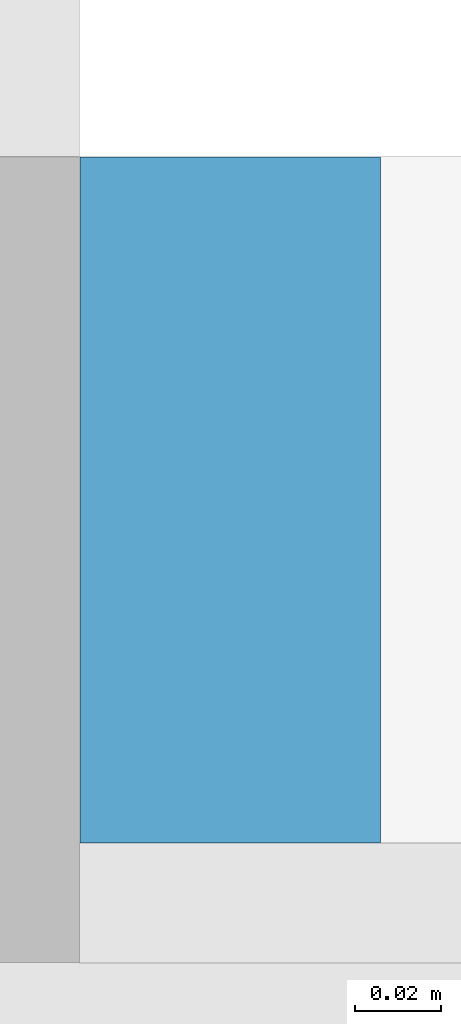
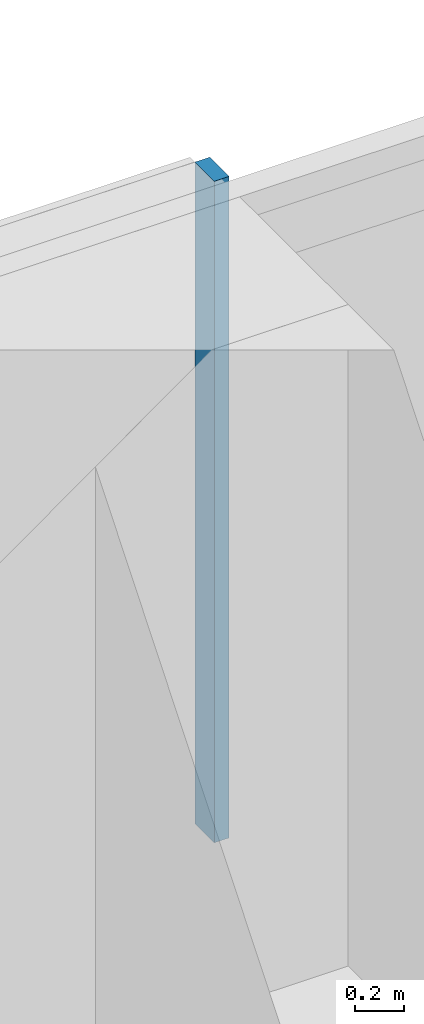
# One storey, part 10 of 26: 1 member, 1 element without a shape of its own.
"""IFC4 building model written with IfcOpenShell, lengths in metres."""

from ifc_helpers import new_model, si_unit, direction, frame, origin, origin_2d, place, context, subcontext, project, spatial, rectangle, extrude, material, material_profile, profile_set, type_object, element, aggregate, save


model = new_model("IFC4")

# Units and contexts
model_context = context("Model", 3, precision=1e-05, world=origin(), true_north=direction((0.0, 1.0)))
body_context = subcontext(model_context, "Body", "Model", "MODEL_VIEW")
ifc_project = project(units=[si_unit("LENGTHUNIT", "METRE"), si_unit("AREAUNIT", "SQUARE_METRE"), si_unit("VOLUMEUNIT", "CUBIC_METRE"), si_unit("PLANEANGLEUNIT", "RADIAN"), si_unit("MASSUNIT", "GRAM", prefix="KILO")], contexts=[model_context])

# Site, building, storey
site_placement = place(None, origin())
site = spatial("IfcSite", under=ifc_project, at=site_placement, CompositionType="ELEMENT")
building_placement = place(site_placement, origin())
building = spatial("IfcBuilding", under=site, at=building_placement, Name="Saffron Gate Tower", CompositionType="ELEMENT")
storey_placement = place(building_placement, frame((0.0, 0.0, 62.39990234375)))
storey = spatial("IfcBuildingStorey", under=building, at=storey_placement, Name="L14", CompositionType="ELEMENT", Elevation=62.39990234375)

# Curtain wall, member
ifc_material = material(Name="Aluminium, bronze anodised", Category="aluminium")
curtain_wall_type = type_object("IfcCurtainWallType", Name="CWS3 curtain wall rear facade", PredefinedType="NOTDEFINED", material=ifc_material)
curtain_wall_placement = place(storey_placement, origin())
curtain_wall = element("IfcCurtainWall", 1, at=curtain_wall_placement, inside=storey, type_object=curtain_wall_type, Name="CWS3 run 7", PredefinedType="NOTDEFINED")
ifc_material_profile = material_profile(ifc_material, rectangle(XDim=0.159912109375, YDim=0.070068359375, at=origin_2d()))
ifc_profile_set = profile_set([ifc_material_profile], Name="Aluminium, bronze anodised")
member_type = type_object("IfcMemberType", Name="CWS3 mullion 70x160", PredefinedType="MULLION", material=ifc_profile_set)
member_placement = place(storey_placement, frame((108.60009765625, 75.52001953125, 0.0), z_axis=(0.0, 0.0, 1.0), x_axis=(0.0, -1.0, 0.0)))
member = element("IfcMember", 2, at=member_placement, type_object=member_type, Name="CWS3 mullion 3", PredefinedType="MULLION", context=body_context, shape_type="SweptSolid", body=[
    extrude(rectangle(XDim=0.159912109375, YDim=0.070068359375, at=origin_2d()), origin(), (0.0, 0.0, 1.0), 3.320068359375),
])
aggregate(curtain_wall, [member])

save(model, "model.ifc")
